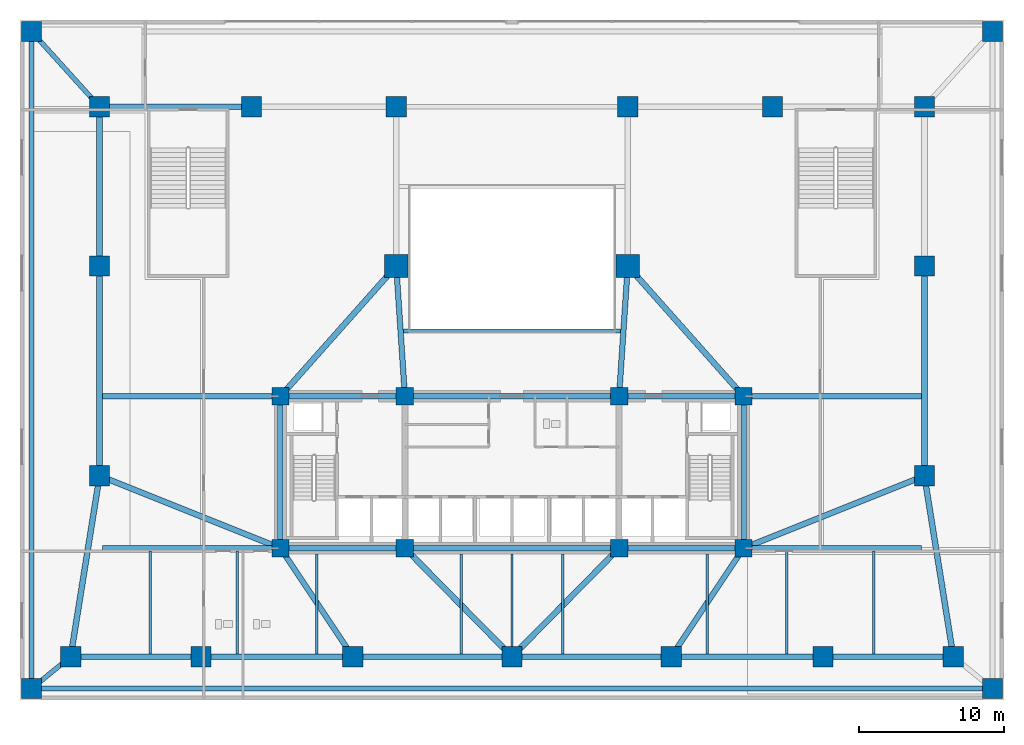
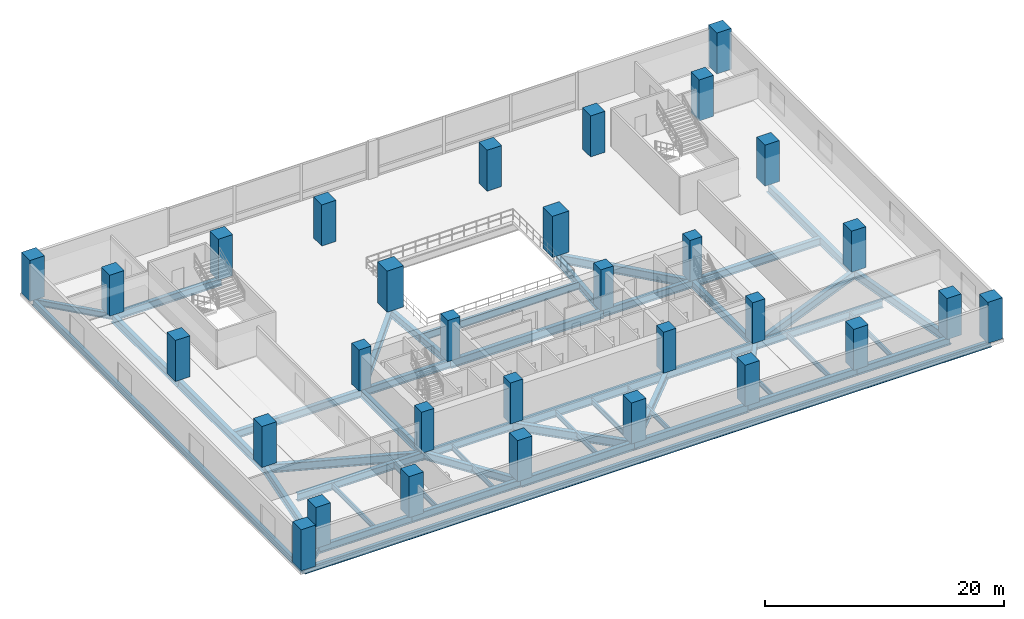
# One storey, part 1 of 15: 48 beams, 31 columns.
"""IFC4 building model written with IfcOpenShell, lengths in metres."""

from ifc_helpers import new_model, si_unit, direction, frame, origin, origin_2d, place, context, subcontext, project, spatial, rectangle, i_section, extrude, material, material_profile, profile_set, type_object, element, save


model = new_model("IFC4")

# Units and contexts
model_context = context("Model", 3, precision=1e-05, world=origin(), true_north=direction((0.0, 1.0)))
body_context = subcontext(model_context, "Body", "Model", "MODEL_VIEW")
ifc_project = project(units=[si_unit("LENGTHUNIT", "METRE"), si_unit("AREAUNIT", "SQUARE_METRE"), si_unit("VOLUMEUNIT", "CUBIC_METRE"), si_unit("PLANEANGLEUNIT", "RADIAN"), si_unit("MASSUNIT", "GRAM", prefix="KILO")], contexts=[model_context])

# Site, building, storey
site_placement = place(None, origin())
site = spatial("IfcSite", under=ifc_project, at=site_placement, CompositionType="ELEMENT")
building_placement = place(site_placement, origin())
building = spatial("IfcBuilding", under=site, at=building_placement, Name="Solmavex Isthmus Hotel", CompositionType="ELEMENT")
storey_placement = place(building_placement, frame((0.0, 0.0, 16.199951171875)))
storey = spatial("IfcBuildingStorey", under=building, at=storey_placement, Name="L04", CompositionType="ELEMENT", Elevation=16.199951171875)

# Columns
ifc_material_1 = material(Name="Concrete C70/85", Category="concrete")
ifc_material_profile_1 = material_profile(ifc_material_1, rectangle(XDim=1.199951171875, YDim=1.199951171875, at=origin_2d()), Name="RC1200X1200")
ifc_profile_set_1 = profile_set([ifc_material_profile_1], Name="Concrete C70/85")
column_type_1 = type_object("IfcColumnType", Name="COL-CC-1200", PredefinedType="COLUMN", material=ifc_profile_set_1)
for number, where, z_axis, x_axis, name in (
    (1, (-16.0, -13.0, 0.0), (0.0, 0.0, 1.0), (1.0, 0.0, 0.0), "Core Pilaster CC-SW L04"),
    (2, (-7.39990234375, -13.0, 0.0), (0.0, 0.0, 1.0), (1.0, 0.0, 0.0), "Core Pilaster CC-S1 L04"),
    (3, (7.39990234375, -13.0, 0.0), (0.0, 0.0, 1.0), (1.0, 0.0, 0.0), "Core Pilaster CC-S2 L04"),
    (4, (16.0, -13.0, 0.0), (0.0, 0.0, 1.0), (1.0, 0.0, 0.0), "Core Pilaster CC-SE L04"),
    (5, (-16.0, -2.5, 0.0), (0.0, 0.0, 1.0), (1.0, 0.0, 0.0), "Core Pilaster CC-NW L04"),
    (6, (-7.39990234375, -2.5, 0.0), (0.0, 0.0, 1.0), (1.0, 0.0, 0.0), "Core Pilaster CC-N1 L04"),
    (7, (7.39990234375, -2.5, 0.0), (0.0, 0.0, 1.0), (1.0, 0.0, 0.0), "Core Pilaster CC-N2 L04"),
    (8, (16.0, -2.5, 0.0), (0.0, 0.0, 1.0), (1.0, 0.0, 0.0), "Core Pilaster CC-NE L04"),
):
    element("IfcColumn", number, at=place(storey_placement, frame(where, z_axis=z_axis, x_axis=x_axis)), inside=storey, type_object=column_type_1, Name=name, PredefinedType="COLUMN", context=body_context, shape_type="SweptSolid", body=[
        extrude(rectangle(XDim=1.199951171875, YDim=1.199951171875, at=origin_2d()), origin(), (0.0, 0.0, 1.0), 4.199951171875),
    ])
ifc_material_profile_2 = material_profile(ifc_material_1, rectangle(XDim=1.39990234375, YDim=1.39990234375, at=origin_2d()), Name="RC1400X1400")
ifc_profile_set_2 = profile_set([ifc_material_profile_2], Name="Concrete C70/85")
column_type_2 = type_object("IfcColumnType", Name="COL-MC-1400", PredefinedType="COLUMN", material=ifc_profile_set_2)
for number, where, z_axis, x_axis, name in (
    (9, (-33.199951171875, -22.699951171875, 0.0), (0.0, 0.0, 1.0), (1.0, 0.0, 0.0), "Podium Mega Column MC-SW L04"),
    (10, (33.199951171875, -22.699951171875, 0.0), (0.0, 0.0, 1.0), (1.0, 0.0, 0.0), "Podium Mega Column MC-SE L04"),
    (11, (-33.199951171875, 22.699951171875, 0.0), (0.0, 0.0, 1.0), (1.0, 0.0, 0.0), "Podium Mega Column MC-NW L04"),
    (12, (33.199951171875, 22.699951171875, 0.0), (0.0, 0.0, 1.0), (1.0, 0.0, 0.0), "Podium Mega Column MC-NE L04"),
    (13, (-30.5, -20.5, 0.0), (0.0, 0.0, 1.0), (1.0, 0.0, 0.0), "Podium Mega Column MC-S1 L04"),
    (14, (-21.5, -20.5, 0.0), (0.0, 0.0, 1.0), (1.0, 0.0, 0.0), "Podium Mega Column MC-S2 L04"),
    (15, (-11.0, -20.5, 0.0), (0.0, 0.0, 1.0), (1.0, 0.0, 0.0), "Podium Mega Column MC-S3 L04"),
    (16, (0.0, -20.5, 0.0), (0.0, 0.0, 1.0), (1.0, 0.0, 0.0), "Podium Mega Column MC-S4 L04"),
    (17, (11.0, -20.5, 0.0), (0.0, 0.0, 1.0), (1.0, 0.0, 0.0), "Podium Mega Column MC-S5 L04"),
    (18, (21.5, -20.5, 0.0), (0.0, 0.0, 1.0), (1.0, 0.0, 0.0), "Podium Mega Column MC-S6 L04"),
    (19, (30.5, -20.5, 0.0), (0.0, 0.0, 1.0), (1.0, 0.0, 0.0), "Podium Mega Column MC-S7 L04"),
    (20, (-28.5, -8.0, 0.0), (0.0, 0.0, 1.0), (1.0, 0.0, 0.0), "Podium Mega Column MC-W1 L04"),
    (21, (28.5, -8.0, 0.0), (0.0, 0.0, 1.0), (1.0, 0.0, 0.0), "Podium Mega Column MC-E1 L04"),
    (22, (-28.5, 6.5, 0.0), (0.0, 0.0, 1.0), (1.0, 0.0, 0.0), "Podium Mega Column MC-M1 L04"),
    (23, (28.5, 6.5, 0.0), (0.0, 0.0, 1.0), (1.0, 0.0, 0.0), "Podium Mega Column MC-M4 L04"),
    (24, (-28.5, 17.5, 0.0), (0.0, 0.0, 1.0), (1.0, 0.0, 0.0), "Podium Mega Column MC-N1 L04"),
    (25, (-18.0, 17.5, 0.0), (0.0, 0.0, 1.0), (1.0, 0.0, 0.0), "Podium Mega Column MC-N2 L04"),
    (26, (-8.0, 17.5, 0.0), (0.0, 0.0, 1.0), (1.0, 0.0, 0.0), "Podium Mega Column MC-N3 L04"),
    (27, (8.0, 17.5, 0.0), (0.0, 0.0, 1.0), (1.0, 0.0, 0.0), "Podium Mega Column MC-N4 L04"),
    (28, (18.0, 17.5, 0.0), (0.0, 0.0, 1.0), (1.0, 0.0, 0.0), "Podium Mega Column MC-N5 L04"),
    (29, (28.5, 17.5, 0.0), (0.0, 0.0, 1.0), (1.0, 0.0, 0.0), "Podium Mega Column MC-N6 L04"),
):
    element("IfcColumn", number, at=place(storey_placement, frame(where, z_axis=z_axis, x_axis=x_axis)), inside=storey, type_object=column_type_2, Name=name, PredefinedType="COLUMN", context=body_context, shape_type="SweptSolid", body=[
        extrude(rectangle(XDim=1.39990234375, YDim=1.39990234375, at=origin_2d()), origin(), (0.0, 0.0, 1.0), 4.199951171875),
    ])
ifc_material_profile_3 = material_profile(ifc_material_1, rectangle(XDim=1.60009765625, YDim=1.60009765625, at=origin_2d()), Name="RC1600X1600")
ifc_profile_set_3 = profile_set([ifc_material_profile_3], Name="Concrete C70/85")
column_type_3 = type_object("IfcColumnType", Name="COL-MC-1600", PredefinedType="COLUMN", material=ifc_profile_set_3)
for number, where, z_axis, x_axis, name in (
    (30, (-8.0, 6.5, 0.0), (0.0, 0.0, 1.0), (1.0, 0.0, 0.0), "Podium Mega Column MC-M2 L04"),
    (31, (8.0, 6.5, 0.0), (0.0, 0.0, 1.0), (1.0, 0.0, 0.0), "Podium Mega Column MC-M3 L04"),
):
    element("IfcColumn", number, at=place(storey_placement, frame(where, z_axis=z_axis, x_axis=x_axis)), inside=storey, type_object=column_type_3, Name=name, PredefinedType="COLUMN", context=body_context, shape_type="SweptSolid", body=[
        extrude(rectangle(XDim=1.60009765625, YDim=1.60009765625, at=origin_2d()), origin(), (0.0, 0.0, 1.0), 4.199951171875),
    ])

# Beams
ifc_material_2 = material(Name="Steel ASTM A992 Grade 50", Category="steel")
ifc_material_profile_4 = material_profile(ifc_material_2, i_section(OverallWidth=0.2666015625, OverallDepth=0.76220703125, WebThickness=0.014404296875, FlangeThickness=0.021484375, FilletRadius=0.01904296875, at=origin_2d()), Name="W30X116")
ifc_profile_set_4 = profile_set([ifc_material_profile_4], Name="Steel ASTM A992 Grade 50")
beam_type_1 = type_object("IfcBeamType", Name="BM-BG-W30X116", PredefinedType="BEAM", material=ifc_profile_set_4)
beam_1_placement = place(storey_placement, frame((-7.81005859375, 2.0, -0.68115234375), z_axis=(1.0, 0.0, 0.0), x_axis=(0.0, 1.0, 0.0)))
element("IfcBeam", 32, at=beam_1_placement, inside=storey, type_object=beam_type_1, Name="Atrium Trimmer Girder L04-AT1", PredefinedType="BEAM", context=body_context, shape_type="SweptSolid", body=[
    extrude(i_section(OverallWidth=0.2666015625, OverallDepth=0.76220703125, WebThickness=0.014404296875, FlangeThickness=0.021484375, FilletRadius=0.01904296875, at=origin_2d()), origin(), (0.0, 0.0, 1.0), 15.6201171875),
])
ifc_material_profile_5 = material_profile(ifc_material_2, i_section(OverallWidth=0.380615234375, OverallDepth=0.773193359375, WebThickness=0.0166015625, FlangeThickness=0.027099609375, FilletRadius=0.01904296875, at=origin_2d()), Name="W30X173")
ifc_profile_set_5 = profile_set([ifc_material_profile_5], Name="Steel ASTM A992 Grade 50")
beam_type_2 = type_object("IfcBeamType", Name="BM-BG-W30X173", PredefinedType="BEAM", material=ifc_profile_set_5)
beam_2_placement = place(storey_placement, frame((-30.5, -20.5, -0.6865234375), z_axis=(1.0, 0.0, 0.0), x_axis=(0.0, 1.0, 0.0)))
element("IfcBeam", 33, at=beam_2_placement, inside=storey, type_object=beam_type_2, Name="Podium Primary Girder L04-G01", PredefinedType="BEAM", context=body_context, shape_type="SweptSolid", body=[
    extrude(i_section(OverallWidth=0.380615234375, OverallDepth=0.773193359375, WebThickness=0.0166015625, FlangeThickness=0.027099609375, FilletRadius=0.01904296875, at=origin_2d()), origin(), (0.0, 0.0, 1.0), 9.0),
])
for number, where, z_axis, x_axis, name in (
    (34, (-21.5, -20.5, -0.6865234375), (1.0, 0.0, 0.0), (0.0, 1.0, 0.0), "Podium Primary Girder L04-G02"),
    (35, (11.0, -20.5, -0.6865234375), (1.0, 0.0, 0.0), (0.0, 1.0, 0.0), "Podium Primary Girder L04-G05"),
):
    element("IfcBeam", number, at=place(storey_placement, frame(where, z_axis=z_axis, x_axis=x_axis)), inside=storey, type_object=beam_type_2, Name=name, PredefinedType="BEAM", context=body_context, shape_type="SweptSolid", body=[
        extrude(i_section(OverallWidth=0.380615234375, OverallDepth=0.773193359375, WebThickness=0.0166015625, FlangeThickness=0.027099609375, FilletRadius=0.01904296875, at=origin_2d()), origin(), (0.0, 0.0, 1.0), 10.5),
    ])
beam_3_placement = place(storey_placement, frame((21.5, -20.5, -0.6865234375), z_axis=(1.0, 0.0, 0.0), x_axis=(0.0, 1.0, 0.0)))
element("IfcBeam", 36, at=beam_3_placement, inside=storey, type_object=beam_type_2, Name="Podium Primary Girder L04-G06", PredefinedType="BEAM", context=body_context, shape_type="SweptSolid", body=[
    extrude(i_section(OverallWidth=0.380615234375, OverallDepth=0.773193359375, WebThickness=0.0166015625, FlangeThickness=0.027099609375, FilletRadius=0.01904296875, at=origin_2d()), origin(), (0.0, 0.0, 1.0), 9.0),
])
beam_4_placement = place(storey_placement, frame((-28.5, 17.5, -0.6865234375), z_axis=(1.0, 0.0, 0.0), x_axis=(0.0, 1.0, 0.0)))
element("IfcBeam", 37, at=beam_4_placement, inside=storey, type_object=beam_type_2, Name="Podium Primary Girder L04-G07", PredefinedType="BEAM", context=body_context, shape_type="SweptSolid", body=[
    extrude(i_section(OverallWidth=0.380615234375, OverallDepth=0.773193359375, WebThickness=0.0166015625, FlangeThickness=0.027099609375, FilletRadius=0.01904296875, at=origin_2d()), origin(), (0.0, 0.0, 1.0), 10.5),
])
for number, where, z_axis, x_axis, name in (
    (38, (-11.0, -20.5, -0.6865234375), (-0.554700196225, 0.832050294338, 0.0), (-0.832050294338, -0.554700196225, 0.0), "Podium Primary Girder L04-G21"),
    (39, (11.0, -20.5, -0.6865234375), (0.554700196225, 0.832050294338, 0.0), (-0.832050294338, 0.554700196225, 0.0), "Podium Primary Girder L04-G24"),
):
    element("IfcBeam", number, at=place(storey_placement, frame(where, z_axis=z_axis, x_axis=x_axis)), inside=storey, type_object=beam_type_2, Name=name, PredefinedType="BEAM", context=body_context, shape_type="SweptSolid", body=[
        extrude(i_section(OverallWidth=0.380615234375, OverallDepth=0.773193359375, WebThickness=0.0166015625, FlangeThickness=0.027099609375, FilletRadius=0.01904296875, at=origin_2d()), origin(), (0.0, 0.0, 1.0), 9.013916015625),
    ])
for number, where, z_axis, x_axis, name in (
    (40, (-7.39990234375, -2.5, -0.6865234375), (-0.066529789268, 0.997784439215, 0.0), (-0.997784439215, -0.066529789268, 0.0), "Podium Primary Girder L04-G26"),
    (41, (7.39990234375, -2.5, -0.6865234375), (0.066529789268, 0.997784439215, 0.0), (-0.997784439215, 0.066529789268, 0.0), "Podium Primary Girder L04-G27"),
):
    element("IfcBeam", number, at=place(storey_placement, frame(where, z_axis=z_axis, x_axis=x_axis)), inside=storey, type_object=beam_type_2, Name=name, PredefinedType="BEAM", context=body_context, shape_type="SweptSolid", body=[
        extrude(i_section(OverallWidth=0.380615234375, OverallDepth=0.773193359375, WebThickness=0.0166015625, FlangeThickness=0.027099609375, FilletRadius=0.01904296875, at=origin_2d()), origin(), (0.0, 0.0, 1.0), 9.02001953125),
    ])
for number, where, z_axis, x_axis, name in (
    (42, (-16.0, -13.0, -0.6865234375), (1.0, 0.0, 0.0), (0.0, 1.0, 0.0), "Podium Primary Girder L04-G33"),
    (43, (7.39990234375, -13.0, -0.6865234375), (1.0, 0.0, 0.0), (0.0, 1.0, 0.0), "Podium Primary Girder L04-G35"),
    (44, (-16.0, -2.5, -0.6865234375), (1.0, 0.0, 0.0), (0.0, 1.0, 0.0), "Podium Primary Girder L04-G36"),
    (45, (7.39990234375, -2.5, -0.6865234375), (1.0, 0.0, 0.0), (0.0, 1.0, 0.0), "Podium Primary Girder L04-G38"),
):
    element("IfcBeam", number, at=place(storey_placement, frame(where, z_axis=z_axis, x_axis=x_axis)), inside=storey, type_object=beam_type_2, Name=name, PredefinedType="BEAM", context=body_context, shape_type="SweptSolid", body=[
        extrude(i_section(OverallWidth=0.380615234375, OverallDepth=0.773193359375, WebThickness=0.0166015625, FlangeThickness=0.027099609375, FilletRadius=0.01904296875, at=origin_2d()), origin(), (0.0, 0.0, 1.0), 8.60009765625),
    ])
for number, where, z_axis, x_axis, name in (
    (46, (-16.0, -13.0, -0.6865234375), (0.0, 1.0, 0.0), (-1.0, 0.0, 0.0), "Podium Primary Girder L04-G39"),
    (47, (16.0, -13.0, -0.6865234375), (0.0, 1.0, 0.0), (-1.0, 0.0, 0.0), "Podium Primary Girder L04-G40"),
):
    element("IfcBeam", number, at=place(storey_placement, frame(where, z_axis=z_axis, x_axis=x_axis)), inside=storey, type_object=beam_type_2, Name=name, PredefinedType="BEAM", context=body_context, shape_type="SweptSolid", body=[
        extrude(i_section(OverallWidth=0.380615234375, OverallDepth=0.773193359375, WebThickness=0.0166015625, FlangeThickness=0.027099609375, FilletRadius=0.01904296875, at=origin_2d()), origin(), (0.0, 0.0, 1.0), 10.5),
    ])
for number, where, z_axis, x_axis, name in (
    (48, (-28.31005859375, -2.5, -0.6865234375), (1.0, 0.0, 0.0), (0.0, 1.0, 0.0), "Podium Wing Collector Girder L04-EW01"),
    (49, (16.0, -2.5, -0.6865234375), (1.0, 0.0, 0.0), (0.0, 1.0, 0.0), "Podium Wing Collector Girder L04-EW02"),
    (50, (-28.31005859375, -13.0, -0.6865234375), (1.0, 0.0, 0.0), (0.0, 1.0, 0.0), "Podium Wing Collector Girder L04-EW03"),
    (51, (16.0, -13.0, -0.6865234375), (1.0, 0.0, 0.0), (0.0, 1.0, 0.0), "Podium Wing Collector Girder L04-EW04"),
):
    element("IfcBeam", number, at=place(storey_placement, frame(where, z_axis=z_axis, x_axis=x_axis)), inside=storey, type_object=beam_type_2, Name=name, PredefinedType="BEAM", context=body_context, shape_type="SweptSolid", body=[
        extrude(i_section(OverallWidth=0.380615234375, OverallDepth=0.773193359375, WebThickness=0.0166015625, FlangeThickness=0.027099609375, FilletRadius=0.01904296875, at=origin_2d()), origin(), (0.0, 0.0, 1.0), 12.31005859375),
    ])
ifc_material_profile_6 = material_profile(ifc_material_2, i_section(OverallWidth=0.39990234375, OverallDepth=0.85546875, WebThickness=0.018310546875, FlangeThickness=0.029296875, FilletRadius=0.020263671875, at=origin_2d()), Name="W33X201")
ifc_profile_set_6 = profile_set([ifc_material_profile_6], Name="Steel ASTM A992 Grade 50")
beam_type_3 = type_object("IfcBeamType", Name="BM-BG-W33X201", PredefinedType="BEAM", material=ifc_profile_set_6)
for number, where, z_axis, x_axis, name in (
    (52, (-11.0, -20.5, -0.727783203125), (1.0, 0.0, 0.0), (0.0, 1.0, 0.0), "Podium Primary Girder L04-G03"),
    (53, (0.0, -20.5, -0.727783203125), (1.0, 0.0, 0.0), (0.0, 1.0, 0.0), "Podium Primary Girder L04-G04"),
):
    element("IfcBeam", number, at=place(storey_placement, frame(where, z_axis=z_axis, x_axis=x_axis)), inside=storey, type_object=beam_type_3, Name=name, PredefinedType="BEAM", context=body_context, shape_type="SweptSolid", body=[
        extrude(i_section(OverallWidth=0.39990234375, OverallDepth=0.85546875, WebThickness=0.018310546875, FlangeThickness=0.029296875, FilletRadius=0.020263671875, at=origin_2d()), origin(), (0.0, 0.0, 1.0), 11.0),
    ])
beam_5_placement = place(storey_placement, frame((-30.5, -20.5, -0.727783203125), z_axis=(0.157990501107, 0.987440631917, 0.0), x_axis=(-0.987440631917, 0.157990501107, 0.0)))
element("IfcBeam", 54, at=beam_5_placement, inside=storey, type_object=beam_type_3, Name="Podium Primary Girder L04-G12", PredefinedType="BEAM", context=body_context, shape_type="SweptSolid", body=[
    extrude(i_section(OverallWidth=0.39990234375, OverallDepth=0.85546875, WebThickness=0.018310546875, FlangeThickness=0.029296875, FilletRadius=0.020263671875, at=origin_2d()), origin(), (0.0, 0.0, 1.0), 12.658935546875),
])
beam_6_placement = place(storey_placement, frame((-28.5, -8.0, -0.727783203125), z_axis=(0.0, 1.0, 0.0), x_axis=(-1.0, 0.0, 0.0)))
element("IfcBeam", 55, at=beam_6_placement, inside=storey, type_object=beam_type_3, Name="Podium Primary Girder L04-G13", PredefinedType="BEAM", context=body_context, shape_type="SweptSolid", body=[
    extrude(i_section(OverallWidth=0.39990234375, OverallDepth=0.85546875, WebThickness=0.018310546875, FlangeThickness=0.029296875, FilletRadius=0.020263671875, at=origin_2d()), origin(), (0.0, 0.0, 1.0), 14.5),
])
beam_7_placement = place(storey_placement, frame((-28.5, 6.5, -0.727783203125), z_axis=(0.0, 1.0, 0.0), x_axis=(-1.0, 0.0, 0.0)))
element("IfcBeam", 56, at=beam_7_placement, inside=storey, type_object=beam_type_3, Name="Podium Primary Girder L04-G14", PredefinedType="BEAM", context=body_context, shape_type="SweptSolid", body=[
    extrude(i_section(OverallWidth=0.39990234375, OverallDepth=0.85546875, WebThickness=0.018310546875, FlangeThickness=0.029296875, FilletRadius=0.020263671875, at=origin_2d()), origin(), (0.0, 0.0, 1.0), 11.0),
])
beam_8_placement = place(storey_placement, frame((30.5, -20.5, -0.727783203125), z_axis=(-0.157990501107, 0.987440631917, 0.0), x_axis=(-0.987440631917, -0.157990501107, 0.0)))
element("IfcBeam", 57, at=beam_8_placement, inside=storey, type_object=beam_type_3, Name="Podium Primary Girder L04-G15", PredefinedType="BEAM", context=body_context, shape_type="SweptSolid", body=[
    extrude(i_section(OverallWidth=0.39990234375, OverallDepth=0.85546875, WebThickness=0.018310546875, FlangeThickness=0.029296875, FilletRadius=0.020263671875, at=origin_2d()), origin(), (0.0, 0.0, 1.0), 12.658935546875),
])
beam_9_placement = place(storey_placement, frame((28.5, -8.0, -0.727783203125), z_axis=(0.0, 1.0, 0.0), x_axis=(-1.0, 0.0, 0.0)))
element("IfcBeam", 58, at=beam_9_placement, inside=storey, type_object=beam_type_3, Name="Podium Primary Girder L04-G16", PredefinedType="BEAM", context=body_context, shape_type="SweptSolid", body=[
    extrude(i_section(OverallWidth=0.39990234375, OverallDepth=0.85546875, WebThickness=0.018310546875, FlangeThickness=0.029296875, FilletRadius=0.020263671875, at=origin_2d()), origin(), (0.0, 0.0, 1.0), 14.5),
])
for number, where, z_axis, x_axis, name in (
    (59, (0.0, -20.5, -0.727783203125), (-0.702340583794, 0.711841066781, 0.0), (-0.711841066781, -0.702340583794, 0.0), "Podium Primary Girder L04-G22"),
    (60, (0.0, -20.5, -0.727783203125), (0.702340583794, 0.711841066781, 0.0), (-0.711841066781, 0.702340583794, 0.0), "Podium Primary Girder L04-G23"),
):
    element("IfcBeam", number, at=place(storey_placement, frame(where, z_axis=z_axis, x_axis=x_axis)), inside=storey, type_object=beam_type_3, Name=name, PredefinedType="BEAM", context=body_context, shape_type="SweptSolid", body=[
        extrude(i_section(OverallWidth=0.39990234375, OverallDepth=0.85546875, WebThickness=0.018310546875, FlangeThickness=0.029296875, FilletRadius=0.020263671875, at=origin_2d()), origin(), (0.0, 0.0, 1.0), 10.5361328125),
    ])
for number, where, z_axis, x_axis, name in (
    (61, (-16.0, -2.5, -0.727783203125), (0.66436383883, 0.747409318684, 0.0), (-0.747409318684, 0.66436383883, 0.0), "Podium Primary Girder L04-G25"),
    (62, (16.0, -2.5, -0.727783203125), (-0.66436383883, 0.747409318684, 0.0), (-0.747409318684, -0.66436383883, 0.0), "Podium Primary Girder L04-G28"),
):
    element("IfcBeam", number, at=place(storey_placement, frame(where, z_axis=z_axis, x_axis=x_axis)), inside=storey, type_object=beam_type_3, Name=name, PredefinedType="BEAM", context=body_context, shape_type="SweptSolid", body=[
        extrude(i_section(OverallWidth=0.39990234375, OverallDepth=0.85546875, WebThickness=0.018310546875, FlangeThickness=0.029296875, FilletRadius=0.020263671875, at=origin_2d()), origin(), (0.0, 0.0, 1.0), 12.04150390625),
    ])
for number, where, z_axis, x_axis, name in (
    (63, (-28.5, -8.0, -0.727783203125), (0.928476690885, -0.371390676354, 0.0), (0.371390676354, 0.928476690885, 0.0), "Podium Primary Girder L04-G31"),
    (64, (28.5, -8.0, -0.727783203125), (-0.928476690885, -0.371390676354, 0.0), (0.371390676354, -0.928476690885, 0.0), "Podium Primary Girder L04-G32"),
):
    element("IfcBeam", number, at=place(storey_placement, frame(where, z_axis=z_axis, x_axis=x_axis)), inside=storey, type_object=beam_type_3, Name=name, PredefinedType="BEAM", context=body_context, shape_type="SweptSolid", body=[
        extrude(i_section(OverallWidth=0.39990234375, OverallDepth=0.85546875, WebThickness=0.018310546875, FlangeThickness=0.029296875, FilletRadius=0.020263671875, at=origin_2d()), origin(), (0.0, 0.0, 1.0), 13.462890625),
    ])
for number, where, z_axis, x_axis, name in (
    (65, (-7.39990234375, -13.0, -0.727783203125), (1.0, 0.0, 0.0), (0.0, 1.0, 0.0), "Podium Primary Girder L04-G34"),
    (66, (-7.39990234375, -2.5, -0.727783203125), (1.0, 0.0, 0.0), (0.0, 1.0, 0.0), "Podium Primary Girder L04-G37"),
):
    element("IfcBeam", number, at=place(storey_placement, frame(where, z_axis=z_axis, x_axis=x_axis)), inside=storey, type_object=beam_type_3, Name=name, PredefinedType="BEAM", context=body_context, shape_type="SweptSolid", body=[
        extrude(i_section(OverallWidth=0.39990234375, OverallDepth=0.85546875, WebThickness=0.018310546875, FlangeThickness=0.029296875, FilletRadius=0.020263671875, at=origin_2d()), origin(), (0.0, 0.0, 1.0), 14.7998046875),
    ])
ifc_material_profile_7 = material_profile(ifc_material_2, i_section(OverallWidth=0.16650390625, OverallDepth=0.534912109375, WebThickness=0.01025390625, FlangeThickness=0.0166015625, FilletRadius=0.013916015625, at=origin_2d()), Name="W21X57")
ifc_profile_set_7 = profile_set([ifc_material_profile_7], Name="Steel ASTM A992 Grade 50")
beam_type_4 = type_object("IfcBeamType", Name="BM-BJ-W21X57", PredefinedType="JOIST", material=ifc_profile_set_7)
for number, where, z_axis, x_axis, name in (
    (67, (-25.0, -20.309814453125, -0.5673828125), (0.0, 1.0, 0.0), (-1.0, 0.0, 0.0), "Podium Composite Floor Joist L04-J01"),
    (68, (-19.0, -20.309814453125, -0.5673828125), (0.0, 1.0, 0.0), (-1.0, 0.0, 0.0), "Podium Composite Floor Joist L04-J02"),
):
    element("IfcBeam", number, at=place(storey_placement, frame(where, z_axis=z_axis, x_axis=x_axis)), inside=storey, type_object=beam_type_4, Name=name, PredefinedType="JOIST", context=body_context, shape_type="SweptSolid", body=[
        extrude(i_section(OverallWidth=0.16650390625, OverallDepth=0.534912109375, WebThickness=0.01025390625, FlangeThickness=0.0166015625, FilletRadius=0.013916015625, at=origin_2d()), origin(), (0.0, 0.0, 1.0), 7.11962890625),
    ])
beam_10_placement = place(storey_placement, frame((-13.5, -20.309814453125, -0.5673828125), z_axis=(0.0, 1.0, 0.0), x_axis=(-1.0, 0.0, 0.0)))
element("IfcBeam", 69, at=beam_10_placement, inside=storey, type_object=beam_type_4, Name="Podium Composite Floor Joist L04-J03", PredefinedType="JOIST", context=body_context, shape_type="SweptSolid", body=[
    extrude(i_section(OverallWidth=0.16650390625, OverallDepth=0.534912109375, WebThickness=0.01025390625, FlangeThickness=0.0166015625, FilletRadius=0.013916015625, at=origin_2d()), origin(), (0.0, 0.0, 1.0), 6.909912109375),
])
for number, where, z_axis, x_axis, name in (
    (70, (-3.5, -20.300048828125, -0.5673828125), (0.0, 1.0, 0.0), (-1.0, 0.0, 0.0), "Podium Composite Floor Joist L04-J04"),
    (71, (0.0, -20.300048828125, -0.5673828125), (0.0, 1.0, 0.0), (-1.0, 0.0, 0.0), "Podium Composite Floor Joist L04-J05"),
    (72, (3.5, -20.300048828125, -0.5673828125), (0.0, 1.0, 0.0), (-1.0, 0.0, 0.0), "Podium Composite Floor Joist L04-J06"),
):
    element("IfcBeam", number, at=place(storey_placement, frame(where, z_axis=z_axis, x_axis=x_axis)), inside=storey, type_object=beam_type_4, Name=name, PredefinedType="JOIST", context=body_context, shape_type="SweptSolid", body=[
        extrude(i_section(OverallWidth=0.16650390625, OverallDepth=0.534912109375, WebThickness=0.01025390625, FlangeThickness=0.0166015625, FilletRadius=0.013916015625, at=origin_2d()), origin(), (0.0, 0.0, 1.0), 6.900146484375),
    ])
beam_11_placement = place(storey_placement, frame((13.5, -20.309814453125, -0.5673828125), z_axis=(0.0, 1.0, 0.0), x_axis=(-1.0, 0.0, 0.0)))
element("IfcBeam", 73, at=beam_11_placement, inside=storey, type_object=beam_type_4, Name="Podium Composite Floor Joist L04-J07", PredefinedType="JOIST", context=body_context, shape_type="SweptSolid", body=[
    extrude(i_section(OverallWidth=0.16650390625, OverallDepth=0.534912109375, WebThickness=0.01025390625, FlangeThickness=0.0166015625, FilletRadius=0.013916015625, at=origin_2d()), origin(), (0.0, 0.0, 1.0), 6.909912109375),
])
for number, where, z_axis, x_axis, name in (
    (74, (19.0, -20.309814453125, -0.5673828125), (0.0, 1.0, 0.0), (-1.0, 0.0, 0.0), "Podium Composite Floor Joist L04-J08"),
    (75, (25.0, -20.309814453125, -0.5673828125), (0.0, 1.0, 0.0), (-1.0, 0.0, 0.0), "Podium Composite Floor Joist L04-J09"),
):
    element("IfcBeam", number, at=place(storey_placement, frame(where, z_axis=z_axis, x_axis=x_axis)), inside=storey, type_object=beam_type_4, Name=name, PredefinedType="JOIST", context=body_context, shape_type="SweptSolid", body=[
        extrude(i_section(OverallWidth=0.16650390625, OverallDepth=0.534912109375, WebThickness=0.01025390625, FlangeThickness=0.0166015625, FilletRadius=0.013916015625, at=origin_2d()), origin(), (0.0, 0.0, 1.0), 7.11962890625),
    ])
ifc_material_profile_8 = material_profile(ifc_material_2, i_section(OverallWidth=0.326416015625, OverallDepth=0.621826171875, WebThickness=0.015380859375, FlangeThickness=0.0244140625, FilletRadius=0.01513671875, at=origin_2d()), Name="W24X131")
ifc_profile_set_8 = profile_set([ifc_material_profile_8], Name="Steel ASTM A992 Grade 50")
beam_type_5 = type_object("IfcBeamType", Name="BM-SP-W24X131", PredefinedType="SPANDREL", material=ifc_profile_set_8)
beam_12_placement = place(storey_placement, frame((-33.199951171875, -22.699951171875, -0.61083984375), z_axis=(0.77523625691, 0.631671390814, 0.0), x_axis=(-0.631671390814, 0.77523625691, 0.0)))
element("IfcBeam", 76, at=beam_12_placement, inside=storey, type_object=beam_type_5, Name="Podium Corner Perimeter Girder L04-CR01", PredefinedType="SPANDREL", context=body_context, shape_type="SweptSolid", body=[
    extrude(i_section(OverallWidth=0.326416015625, OverallDepth=0.621826171875, WebThickness=0.015380859375, FlangeThickness=0.0244140625, FilletRadius=0.01513671875, at=origin_2d()), origin(), (0.0, 0.0, 1.0), 3.482666015625),
])
beam_13_placement = place(storey_placement, frame((-33.199951171875, -22.699951171875, -0.61083984375), z_axis=(0.0, 1.0, 0.0), x_axis=(-1.0, 0.0, 0.0)))
element("IfcBeam", 77, at=beam_13_placement, inside=storey, type_object=beam_type_5, Name="Podium Corner Perimeter Girder L04-CR03", PredefinedType="SPANDREL", context=body_context, shape_type="SweptSolid", body=[
    extrude(i_section(OverallWidth=0.326416015625, OverallDepth=0.621826171875, WebThickness=0.015380859375, FlangeThickness=0.0244140625, FilletRadius=0.01513671875, at=origin_2d()), origin(), (0.0, 0.0, 1.0), 45.39990234375),
])
beam_14_placement = place(storey_placement, frame((-33.199951171875, 22.699951171875, -0.61083984375), z_axis=(0.670539300557, -0.741874009795, 0.0), x_axis=(0.741874009795, 0.670539300557, 0.0)))
element("IfcBeam", 78, at=beam_14_placement, inside=storey, type_object=beam_type_5, Name="Podium Corner Perimeter Girder L04-CR05", PredefinedType="SPANDREL", context=body_context, shape_type="SweptSolid", body=[
    extrude(i_section(OverallWidth=0.326416015625, OverallDepth=0.621826171875, WebThickness=0.015380859375, FlangeThickness=0.0244140625, FilletRadius=0.01513671875, at=origin_2d()), origin(), (0.0, 0.0, 1.0), 7.00927734375),
])
beam_15_placement = place(storey_placement, frame((-33.199951171875, -22.699951171875, -0.61083984375), z_axis=(1.0, 0.0, 0.0), x_axis=(0.0, 1.0, 0.0)))
element("IfcBeam", 79, at=beam_15_placement, inside=storey, type_object=beam_type_5, Name="Podium Edge Spandrel L04-SP01", PredefinedType="SPANDREL", context=body_context, shape_type="SweptSolid", body=[
    extrude(i_section(OverallWidth=0.326416015625, OverallDepth=0.621826171875, WebThickness=0.015380859375, FlangeThickness=0.0244140625, FilletRadius=0.01513671875, at=origin_2d()), origin(), (0.0, 0.0, 1.0), 66.39990234375),
])

save(model, "model.ifc")
